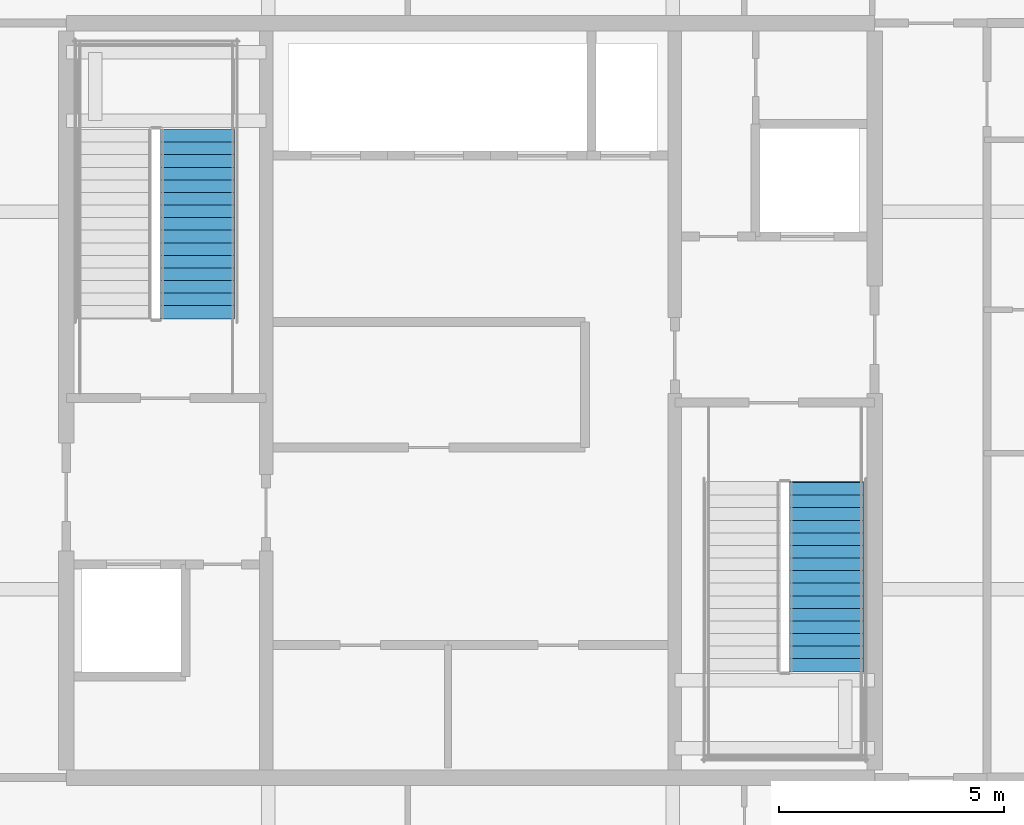
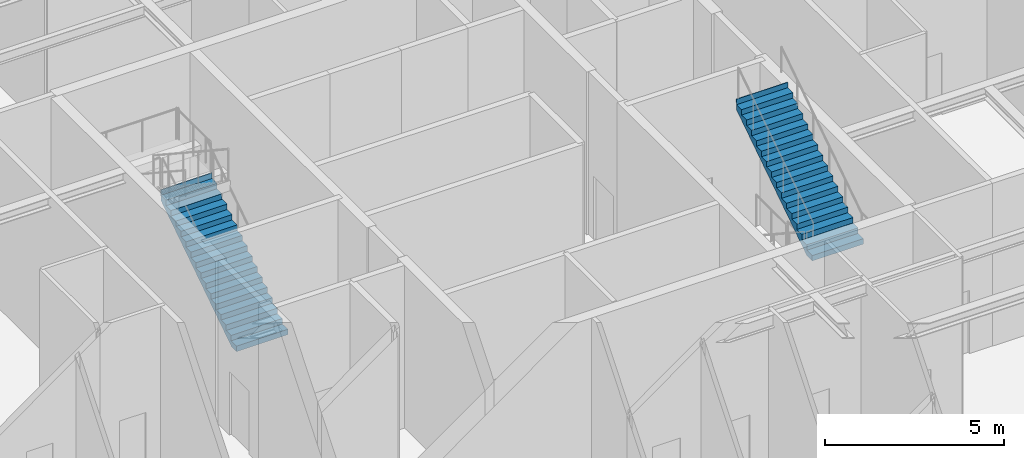
# One storey, part 32 of 38: 2 stair flights, 2 elements without a shape of their own.
"""IFC4 building model written with IfcOpenShell, lengths in metres."""

import ifcopenshell
import ifcopenshell.guid

model = None  # the IFC model being written
_history = None  # IfcOwnerHistory: only IFC2X3 demands one
_inside = {}  # id of a spatial element -> (the spatial element, [elements in it])
_under = {}  # id of a project, library or spatial element -> (it, [spatial elements below it])
_declared = {}  # id of a project -> (the project, [libraries it declares])
_typed = {}  # id of a type object -> (the type object, [elements of that type])
_made_of = {}  # id of a material, layer set ... -> (it, [elements and type objects made of it])


def new_model(schema):
    """Start an empty IFC model of exactly this schema.

    Asked for "IFC4X3", IfcOpenShell would pick the latest addendum, in which some entities
    have other attributes; the version numbers below select the first issue.
    IFC2X3 requires an IfcOwnerHistory on every rooted entity: one is made here for all.
    """
    global model, _history
    if schema == "IFC4X3":
        model = ifcopenshell.file(schema_version=(4, 3, 0, 0))
    else:
        model = ifcopenshell.file(schema=schema)
    _inside.clear()
    _under.clear()
    _declared.clear()
    _typed.clear()
    _made_of.clear()
    _history = None
    if model.schema == "IFC2X3":
        org = make("IfcOrganization", Name="unknown")
        user = make(
            "IfcPersonAndOrganization",
            ThePerson=make("IfcPerson", FamilyName="unknown"),
            TheOrganization=org,
        )
        app = make(
            "IfcApplication",
            ApplicationDeveloper=org,
            Version="unknown",
            ApplicationFullName="unknown",
            ApplicationIdentifier="unknown",
        )
        _history = make(
            "IfcOwnerHistory",
            OwningUser=user,
            OwningApplication=app,
            ChangeAction="ADDED",
            CreationDate=0,
        )
    return model


def make(cls, **values):
    """One entity of the class cls with the attributes given. An attribute that is None is left unset."""
    return model.create_entity(
        cls, **{name: value for name, value in values.items() if value is not None}
    )


def rooted(cls, **values):
    """An entity with a GlobalId (a new one), such as an element, a storey or a relation."""
    return make(cls, GlobalId=ifcopenshell.guid.new(), OwnerHistory=_history, **values)


def si_unit(unit_type, name, prefix=None):
    """IfcSIUnit, for example si_unit("LENGTHUNIT", "METRE", prefix="MILLI")."""
    return make("IfcSIUnit", UnitType=unit_type, Prefix=prefix, Name=name)


def assignment(units):
    """IfcUnitAssignment: the units of a project."""
    return None if units is None else make("IfcUnitAssignment", Units=units)


def point(xyz):
    """IfcCartesianPoint."""
    return None if xyz is None else make("IfcCartesianPoint", Coordinates=xyz)


def direction(xyz):
    """IfcDirection."""
    return None if xyz is None else make("IfcDirection", DirectionRatios=xyz)


def frame(location, z_axis=None, x_axis=None):
    """IfcAxis2Placement3D, a coordinate frame: its origin and axes. An axis left out is left unset."""
    return make(
        "IfcAxis2Placement3D",
        Location=point(location),
        Axis=direction(z_axis),
        RefDirection=direction(x_axis),
    )


def origin():
    """The frame at (0, 0, 0) with its axes left unset."""
    return frame((0.0, 0.0, 0.0))


def place(relative_to, where):
    """IfcLocalPlacement: puts the frame where relative to a parent placement (None: the world)."""
    return make(
        "IfcLocalPlacement", PlacementRelTo=relative_to, RelativePlacement=where
    )


def context(
    kind, dimensions, precision=None, world=None, true_north=None, identifier=None
):
    """IfcGeometricRepresentationContext, for example the 3D "Model" context."""
    return make(
        "IfcGeometricRepresentationContext",
        ContextIdentifier=identifier,
        ContextType=kind,
        CoordinateSpaceDimension=dimensions,
        Precision=precision,
        WorldCoordinateSystem=world,
        TrueNorth=true_north,
    )


def subcontext(parent, identifier, kind, view, scale=None):
    """IfcGeometricRepresentationSubContext, for example "Body" below "Model"."""
    return make(
        "IfcGeometricRepresentationSubContext",
        ContextIdentifier=identifier,
        ContextType=kind,
        ParentContext=parent,
        TargetScale=scale,
        TargetView=view,
    )


def project(units=None, contexts=None):
    """IfcProject with its units and contexts."""
    return rooted(
        "IfcProject",
        Name="project",
        RepresentationContexts=contexts,
        UnitsInContext=assignment(units),
    )


def spatial(cls, under=None, at=None, **own):
    """A site, building, storey or space (cls), placed at a placement, below another one or the project."""
    s = rooted(cls, ObjectPlacement=at, **own)
    if under is not None:
        _under.setdefault(under.id(), (under, []))[1].append(s)
    return s


def point_list(points):
    """IfcCartesianPointList2D or 3D."""
    cls = (
        "IfcCartesianPointList2D" if len(points[0]) == 2 else "IfcCartesianPointList3D"
    )
    return make(cls, CoordList=points)


def polygons(points, faces, closed=None, point_numbers=None):
    """IfcPolygonalFaceSet: a face is its outer loop, then its inner loops; points numbered from 1."""
    made = []
    for loops in faces:
        if len(loops) == 1:
            made.append(make("IfcIndexedPolygonalFace", CoordIndex=loops[0]))
        else:
            made.append(
                make(
                    "IfcIndexedPolygonalFaceWithVoids",
                    CoordIndex=loops[0],
                    InnerCoordIndices=loops[1:],
                )
            )
    return make(
        "IfcPolygonalFaceSet",
        Coordinates=point_list(points),
        Closed=closed,
        Faces=made,
        PnIndex=point_numbers,
    )


def shape(context_of_items, identifier, shape_type, items):
    """IfcShapeRepresentation: the items that make up one representation, for example the "Body"."""
    return make(
        "IfcShapeRepresentation",
        ContextOfItems=context_of_items,
        RepresentationIdentifier=identifier,
        RepresentationType=shape_type,
        Items=items,
    )


def material(Name=None, Category=None):
    """IfcMaterial."""
    return make("IfcMaterial", Name=Name, Category=Category)


def made_of(thing, what):
    """Note that an element or type object is made of a material, layer set ...; save() writes the relation."""
    if what is not None:
        _made_of.setdefault(what.id(), (what, []))[1].append(thing)
    return thing


def type_object(cls, material=None, **own):
    """A type object (cls), such as IfcWallType, which elements share."""
    return made_of(rooted(cls, **own), material)


def element(
    cls,
    number,
    at=None,
    inside=None,
    cuts=None,
    type_object=None,
    material=None,
    context=None,
    identifier="Body",
    shape_type=None,
    held_by="IfcProductDefinitionShape",
    body=None,
    shapes=None,
    **own,
):
    """One element of the class cls, such as IfcWall. Its Tag is "e" and its number.

    at: its placement. inside: the storey or other place that contains it. cuts: it is an
    opening in that element (IfcRelVoidsElement). A single representation is given by context,
    identifier, shape_type and body (its items); several are given by shapes. held_by: the class
    of the entity that holds the representations. save() writes the other relations.
    """
    e = rooted(cls, Tag="e%d" % number, ObjectPlacement=at, **own)
    if body is not None:
        shapes = [shape(context, identifier, shape_type, body)]
    if shapes is not None:
        e.Representation = make(held_by, Representations=shapes)
    if inside is not None:
        _inside.setdefault(inside.id(), (inside, []))[1].append(e)
    if cuts is not None:
        rooted(
            "IfcRelVoidsElement", RelatingBuildingElement=cuts, RelatedOpeningElement=e
        )
    if type_object is not None:
        _typed.setdefault(type_object.id(), (type_object, []))[1].append(e)
    return made_of(e, material)


def aggregate(whole, parts):
    """IfcRelAggregates: a whole, such as a stair, and the parts it consists of."""
    return rooted("IfcRelAggregates", RelatingObject=whole, RelatedObjects=parts)


def save(model, path):
    """Write the relations noted so far, then the file.

    IfcRelAggregates (storeys below a building ...), IfcRelContainedInSpatialStructure (elements
    in a storey), IfcRelDefinesByType, IfcRelAssociatesMaterial and IfcRelDeclares: one each for
    every whole, place, type object, material and project.
    """
    for whole, parts in _under.values():
        aggregate(whole, parts)
    for where, things in _inside.values():
        rooted(
            "IfcRelContainedInSpatialStructure",
            RelatedElements=things,
            RelatingStructure=where,
        )
    for kind, things in _typed.values():
        rooted("IfcRelDefinesByType", RelatedObjects=things, RelatingType=kind)
    for what, things in _made_of.values():
        rooted("IfcRelAssociatesMaterial", RelatedObjects=things, RelatingMaterial=what)
    for by, libraries in _declared.values():
        rooted("IfcRelDeclares", RelatingContext=by, RelatedDefinitions=libraries)
    model.write(path)


model = new_model("IFC4")

# Units and contexts
model_context = context("Model", 3, precision=1e-05, world=origin(), true_north=direction((0.0, 1.0)))
body_context = subcontext(model_context, "Body", "Model", "MODEL_VIEW")
ifc_project = project(units=[si_unit("LENGTHUNIT", "METRE"), si_unit("AREAUNIT", "SQUARE_METRE"), si_unit("VOLUMEUNIT", "CUBIC_METRE"), si_unit("PLANEANGLEUNIT", "RADIAN"), si_unit("MASSUNIT", "GRAM", prefix="KILO")], contexts=[model_context])

# Site, building, storey
site_placement = place(None, origin())
site = spatial("IfcSite", under=ifc_project, at=site_placement, CompositionType="ELEMENT")
building_placement = place(site_placement, origin())
building = spatial("IfcBuilding", under=site, at=building_placement, Name="Serunith Strait Residences", CompositionType="ELEMENT")
storey_placement = place(building_placement, frame((0.0, 0.0, 353.85009765625)))
storey = spatial("IfcBuildingStorey", under=building, at=storey_placement, Name="L87", CompositionType="ELEMENT", Elevation=353.85009765625)

# Stair, stair flight
ifc_material = material(Name="Concrete C50/60", Category="concrete")
stair_type_1 = type_object("IfcStairType", Name="STR-CORE-1", PredefinedType="HALF_TURN_STAIR", material=ifc_material)
stair_1_placement = place(storey_placement, origin())
stair_1 = element("IfcStair", 1, at=stair_1_placement, inside=storey, type_object=stair_type_1, Name="L87 Protected Escape Stair ST-1", PredefinedType="HALF_TURN_STAIR")
stair_flight_type_1 = type_object("IfcStairFlightType", Name="FLT-CORE-1", PredefinedType="STRAIGHT", material=ifc_material)
stair_flight_1_placement = place(storey_placement, frame((26.324951171875, 27.030029296875, 0.0), z_axis=(0.0, 0.0, 1.0), x_axis=(0.0, 1.0, 0.0)))
stair_flight_1 = element("IfcStairFlight", 2, at=stair_flight_1_placement, type_object=stair_flight_type_1, Name="ST-1 flight 1", NumberOfRisers=16, NumberOfTreads=15, PredefinedType="STRAIGHT", RiserHeight=0.184375, TreadLength=0.28, context=body_context, shape_type="Tessellation", body=[
    polygons([(-0.02001953125, -0.824951171875, 0.0), (-0.02001953125, -0.824951171875, 0.184326171875), (0.280029296875, -0.824951171875, 0.184326171875), (0.280029296875, -0.824951171875, 0.36865234375), (0.56005859375, -0.824951171875, 0.36865234375), (0.56005859375, -0.824951171875, 0.55322265625), (0.840087890625, -0.824951171875, 0.55322265625), (0.840087890625, -0.824951171875, 0.737548828125), (1.1201171875, -0.824951171875, 0.737548828125), (1.1201171875, -0.824951171875, 0.921875), (1.39990234375, -0.824951171875, 0.921875), (1.39990234375, -0.824951171875, 1.106201171875), (1.679931640625, -0.824951171875, 1.106201171875), (1.679931640625, -0.824951171875, 1.29052734375), (1.9599609375, -0.824951171875, 1.29052734375), (1.9599609375, -0.824951171875, 1.47509765625), (2.239990234375, -0.824951171875, 1.47509765625), (2.239990234375, -0.824951171875, 1.659423828125), (2.52001953125, -0.824951171875, 1.659423828125), (2.52001953125, -0.824951171875, 1.84375), (2.800048828125, -0.824951171875, 1.84375), (2.800048828125, -0.824951171875, 2.028076171875), (3.080078125, -0.824951171875, 2.028076171875), (3.080078125, -0.824951171875, 2.21240234375), (3.360107421875, -0.824951171875, 2.21240234375), (3.360107421875, -0.824951171875, 2.39697265625), (3.639892578125, -0.824951171875, 2.39697265625), (3.639892578125, -0.824951171875, 2.581298828125), (3.919921875, -0.824951171875, 2.581298828125), (3.919921875, -0.824951171875, 2.765625), (4.199951171875, -0.824951171875, 2.765625), (4.199951171875, -0.824951171875, 2.949951171875), (4.219970703125, -0.824951171875, 2.949951171875), (4.219970703125, -0.824951171875, 2.889892578125), (4.199951171875, -0.824951171875, 2.586181640625), (0.2724609375, -0.824951171875, 0.0), (-0.02001953125, -0.41259765625, 0.0), (-0.02001953125, -0.41259765625, 0.184326171875), (0.280029296875, -0.41259765625, 0.184326171875), (0.280029296875, -0.41259765625, 0.36865234375), (0.56005859375, -0.41259765625, 0.36865234375), (0.56005859375, -0.41259765625, 0.55322265625), (0.840087890625, -0.41259765625, 0.55322265625), (0.840087890625, -0.41259765625, 0.737548828125), (1.1201171875, -0.41259765625, 0.737548828125), (1.1201171875, -0.41259765625, 0.921875), (1.39990234375, -0.41259765625, 0.921875), (1.39990234375, -0.41259765625, 1.106201171875), (1.679931640625, -0.41259765625, 1.106201171875), (1.679931640625, -0.41259765625, 1.29052734375), (1.9599609375, -0.41259765625, 1.29052734375), (1.9599609375, -0.41259765625, 1.47509765625), (2.239990234375, -0.41259765625, 1.47509765625), (2.239990234375, -0.41259765625, 1.659423828125), (2.52001953125, -0.41259765625, 1.659423828125), (2.52001953125, -0.41259765625, 1.84375), (2.800048828125, -0.41259765625, 1.84375), (2.800048828125, -0.41259765625, 2.028076171875), (3.080078125, -0.41259765625, 2.028076171875), (3.080078125, -0.41259765625, 2.21240234375), (3.360107421875, -0.41259765625, 2.21240234375), (3.360107421875, -0.41259765625, 2.39697265625), (3.639892578125, -0.41259765625, 2.39697265625), (3.639892578125, -0.41259765625, 2.581298828125), (3.919921875, -0.41259765625, 2.581298828125), (3.919921875, -0.41259765625, 2.765625), (4.199951171875, -0.41259765625, 2.765625), (4.199951171875, -0.41259765625, 2.949951171875), (4.219970703125, -0.41259765625, 2.949951171875), (4.219970703125, -0.41259765625, 2.889892578125), (4.199951171875, -0.41259765625, 2.586181640625), (0.2724609375, -0.41259765625, 0.0), (-0.02001953125, 0.0, 0.0), (-0.02001953125, 0.0, 0.184326171875), (0.280029296875, 0.0, 0.184326171875), (0.280029296875, 0.0, 0.36865234375), (0.56005859375, 0.0, 0.36865234375), (0.56005859375, 0.0, 0.55322265625), (0.840087890625, 0.0, 0.55322265625), (0.840087890625, 0.0, 0.737548828125), (1.1201171875, 0.0, 0.737548828125), (1.1201171875, 0.0, 0.921875), (1.39990234375, 0.0, 0.921875), (1.39990234375, 0.0, 1.106201171875), (1.679931640625, 0.0, 1.106201171875), (1.679931640625, 0.0, 1.29052734375), (1.9599609375, 0.0, 1.29052734375), (1.9599609375, 0.0, 1.47509765625), (2.239990234375, 0.0, 1.47509765625), (2.239990234375, 0.0, 1.659423828125), (2.52001953125, 0.0, 1.659423828125), (2.52001953125, 0.0, 1.84375), (2.800048828125, 0.0, 1.84375), (2.800048828125, 0.0, 2.028076171875), (3.080078125, 0.0, 2.028076171875), (3.080078125, 0.0, 2.21240234375), (3.360107421875, 0.0, 2.21240234375), (3.360107421875, 0.0, 2.39697265625), (3.639892578125, 0.0, 2.39697265625), (3.639892578125, 0.0, 2.581298828125), (3.919921875, 0.0, 2.581298828125), (3.919921875, 0.0, 2.765625), (4.199951171875, 0.0, 2.765625), (4.199951171875, 0.0, 2.949951171875), (4.219970703125, 0.0, 2.949951171875), (4.219970703125, 0.0, 2.889892578125), (4.199951171875, 0.0, 2.586181640625), (0.2724609375, 0.0, 0.0), (-0.02001953125, 0.41259765625, 0.0), (-0.02001953125, 0.41259765625, 0.184326171875), (0.280029296875, 0.41259765625, 0.184326171875), (0.280029296875, 0.41259765625, 0.36865234375), (0.56005859375, 0.41259765625, 0.36865234375), (0.56005859375, 0.41259765625, 0.55322265625), (0.840087890625, 0.41259765625, 0.55322265625), (0.840087890625, 0.41259765625, 0.737548828125), (1.1201171875, 0.41259765625, 0.737548828125), (1.1201171875, 0.41259765625, 0.921875), (1.39990234375, 0.41259765625, 0.921875), (1.39990234375, 0.41259765625, 1.106201171875), (1.679931640625, 0.41259765625, 1.106201171875), (1.679931640625, 0.41259765625, 1.29052734375), (1.9599609375, 0.41259765625, 1.29052734375), (1.9599609375, 0.41259765625, 1.47509765625), (2.239990234375, 0.41259765625, 1.47509765625), (2.239990234375, 0.41259765625, 1.659423828125), (2.52001953125, 0.41259765625, 1.659423828125), (2.52001953125, 0.41259765625, 1.84375), (2.800048828125, 0.41259765625, 1.84375), (2.800048828125, 0.41259765625, 2.028076171875), (3.080078125, 0.41259765625, 2.028076171875), (3.080078125, 0.41259765625, 2.21240234375), (3.360107421875, 0.41259765625, 2.21240234375), (3.360107421875, 0.41259765625, 2.39697265625), (3.639892578125, 0.41259765625, 2.39697265625), (3.639892578125, 0.41259765625, 2.581298828125), (3.919921875, 0.41259765625, 2.581298828125), (3.919921875, 0.41259765625, 2.765625), (4.199951171875, 0.41259765625, 2.765625), (4.199951171875, 0.41259765625, 2.949951171875), (4.219970703125, 0.41259765625, 2.949951171875), (4.219970703125, 0.41259765625, 2.889892578125), (4.199951171875, 0.41259765625, 2.586181640625), (0.2724609375, 0.41259765625, 0.0), (-0.02001953125, 0.824951171875, 0.0), (-0.02001953125, 0.824951171875, 0.184326171875), (0.280029296875, 0.824951171875, 0.184326171875), (0.280029296875, 0.824951171875, 0.36865234375), (0.56005859375, 0.824951171875, 0.36865234375), (0.56005859375, 0.824951171875, 0.55322265625), (0.840087890625, 0.824951171875, 0.55322265625), (0.840087890625, 0.824951171875, 0.737548828125), (1.1201171875, 0.824951171875, 0.737548828125), (1.1201171875, 0.824951171875, 0.921875), (1.39990234375, 0.824951171875, 0.921875), (1.39990234375, 0.824951171875, 1.106201171875), (1.679931640625, 0.824951171875, 1.106201171875), (1.679931640625, 0.824951171875, 1.29052734375), (1.9599609375, 0.824951171875, 1.29052734375), (1.9599609375, 0.824951171875, 1.47509765625), (2.239990234375, 0.824951171875, 1.47509765625), (2.239990234375, 0.824951171875, 1.659423828125), (2.52001953125, 0.824951171875, 1.659423828125), (2.52001953125, 0.824951171875, 1.84375), (2.800048828125, 0.824951171875, 1.84375), (2.800048828125, 0.824951171875, 2.028076171875), (3.080078125, 0.824951171875, 2.028076171875), (3.080078125, 0.824951171875, 2.21240234375), (3.360107421875, 0.824951171875, 2.21240234375), (3.360107421875, 0.824951171875, 2.39697265625), (3.639892578125, 0.824951171875, 2.39697265625), (3.639892578125, 0.824951171875, 2.581298828125), (3.919921875, 0.824951171875, 2.581298828125), (3.919921875, 0.824951171875, 2.765625), (4.199951171875, 0.824951171875, 2.765625), (4.199951171875, 0.824951171875, 2.949951171875), (4.219970703125, 0.824951171875, 2.949951171875), (4.219970703125, 0.824951171875, 2.889892578125), (4.199951171875, 0.824951171875, 2.586181640625), (0.2724609375, 0.824951171875, 0.0)], [[[1, 2, 38, 37]], [[2, 3, 39, 38]], [[3, 4, 40, 39]], [[4, 5, 41, 40]], [[5, 6, 42, 41]], [[6, 7, 43, 42]], [[7, 8, 44, 43]], [[8, 9, 45, 44]], [[9, 10, 46, 45]], [[10, 11, 47, 46]], [[11, 12, 48, 47]], [[12, 13, 49, 48]], [[13, 14, 50, 49]], [[14, 15, 51, 50]], [[15, 16, 52, 51]], [[16, 17, 53, 52]], [[17, 18, 54, 53]], [[18, 19, 55, 54]], [[19, 20, 56, 55]], [[20, 21, 57, 56]], [[21, 22, 58, 57]], [[22, 23, 59, 58]], [[23, 24, 60, 59]], [[24, 25, 61, 60]], [[25, 26, 62, 61]], [[26, 27, 63, 62]], [[27, 28, 64, 63]], [[28, 29, 65, 64]], [[29, 30, 66, 65]], [[30, 31, 67, 66]], [[31, 32, 68, 67]], [[32, 33, 69, 68]], [[33, 34, 70, 69]], [[34, 35, 71, 70]], [[35, 36, 72, 71]], [[36, 1, 37, 72]], [[37, 38, 74, 73]], [[38, 39, 75, 74]], [[39, 40, 76, 75]], [[40, 41, 77, 76]], [[41, 42, 78, 77]], [[42, 43, 79, 78]], [[43, 44, 80, 79]], [[44, 45, 81, 80]], [[45, 46, 82, 81]], [[46, 47, 83, 82]], [[47, 48, 84, 83]], [[48, 49, 85, 84]], [[49, 50, 86, 85]], [[50, 51, 87, 86]], [[51, 52, 88, 87]], [[52, 53, 89, 88]], [[53, 54, 90, 89]], [[54, 55, 91, 90]], [[55, 56, 92, 91]], [[56, 57, 93, 92]], [[57, 58, 94, 93]], [[58, 59, 95, 94]], [[59, 60, 96, 95]], [[60, 61, 97, 96]], [[61, 62, 98, 97]], [[62, 63, 99, 98]], [[63, 64, 100, 99]], [[64, 65, 101, 100]], [[65, 66, 102, 101]], [[66, 67, 103, 102]], [[67, 68, 104, 103]], [[68, 69, 105, 104]], [[69, 70, 106, 105]], [[70, 71, 107, 106]], [[71, 72, 108, 107]], [[72, 37, 73, 108]], [[73, 74, 110, 109]], [[74, 75, 111, 110]], [[75, 76, 112, 111]], [[76, 77, 113, 112]], [[77, 78, 114, 113]], [[78, 79, 115, 114]], [[79, 80, 116, 115]], [[80, 81, 117, 116]], [[81, 82, 118, 117]], [[82, 83, 119, 118]], [[83, 84, 120, 119]], [[84, 85, 121, 120]], [[85, 86, 122, 121]], [[86, 87, 123, 122]], [[87, 88, 124, 123]], [[88, 89, 125, 124]], [[89, 90, 126, 125]], [[90, 91, 127, 126]], [[91, 92, 128, 127]], [[92, 93, 129, 128]], [[93, 94, 130, 129]], [[94, 95, 131, 130]], [[95, 96, 132, 131]], [[96, 97, 133, 132]], [[97, 98, 134, 133]], [[98, 99, 135, 134]], [[99, 100, 136, 135]], [[100, 101, 137, 136]], [[101, 102, 138, 137]], [[102, 103, 139, 138]], [[103, 104, 140, 139]], [[104, 105, 141, 140]], [[105, 106, 142, 141]], [[106, 107, 143, 142]], [[107, 108, 144, 143]], [[108, 73, 109, 144]], [[109, 110, 146, 145]], [[110, 111, 147, 146]], [[111, 112, 148, 147]], [[112, 113, 149, 148]], [[113, 114, 150, 149]], [[114, 115, 151, 150]], [[115, 116, 152, 151]], [[116, 117, 153, 152]], [[117, 118, 154, 153]], [[118, 119, 155, 154]], [[119, 120, 156, 155]], [[120, 121, 157, 156]], [[121, 122, 158, 157]], [[122, 123, 159, 158]], [[123, 124, 160, 159]], [[124, 125, 161, 160]], [[125, 126, 162, 161]], [[126, 127, 163, 162]], [[127, 128, 164, 163]], [[128, 129, 165, 164]], [[129, 130, 166, 165]], [[130, 131, 167, 166]], [[131, 132, 168, 167]], [[132, 133, 169, 168]], [[133, 134, 170, 169]], [[134, 135, 171, 170]], [[135, 136, 172, 171]], [[136, 137, 173, 172]], [[137, 138, 174, 173]], [[138, 139, 175, 174]], [[139, 140, 176, 175]], [[140, 141, 177, 176]], [[141, 142, 178, 177]], [[142, 143, 179, 178]], [[143, 144, 180, 179]], [[144, 109, 145, 180]], [[36, 35, 34, 33, 32, 31, 30, 29, 28, 27, 26, 25, 24, 23, 22, 21, 20, 19, 18, 17, 16, 15, 14, 13, 12, 11, 10, 9, 8, 7, 6, 5, 4, 3, 2, 1]], [[145, 146, 147, 148, 149, 150, 151, 152, 153, 154, 155, 156, 157, 158, 159, 160, 161, 162, 163, 164, 165, 166, 167, 168, 169, 170, 171, 172, 173, 174, 175, 176, 177, 178, 179, 180]]], closed=True),
])
aggregate(stair_1, [stair_flight_1])

stair_type_2 = type_object("IfcStairType", Name="STR-CORE-2", PredefinedType="HALF_TURN_STAIR", material=ifc_material)
stair_2_placement = place(storey_placement, origin())
stair_2 = element("IfcStair", 3, at=stair_2_placement, inside=storey, type_object=stair_type_2, Name="L87 Protected Escape Stair ST-2", PredefinedType="HALF_TURN_STAIR")
stair_flight_type_2 = type_object("IfcStairFlightType", Name="FLT-CORE-2", PredefinedType="STRAIGHT", material=ifc_material)
stair_flight_2_placement = place(storey_placement, frame((40.324951171875, 19.169921875, 2.949951171875), z_axis=(0.0, 0.0, 1.0), x_axis=(0.0, 1.0, 0.0)))
stair_flight_2 = element("IfcStairFlight", 4, at=stair_flight_2_placement, type_object=stair_flight_type_2, Name="ST-2 flight 2", NumberOfRisers=16, NumberOfTreads=15, PredefinedType="STRAIGHT", RiserHeight=0.184375, TreadLength=0.28, context=body_context, shape_type="Tessellation", body=[
    polygons([(-0.02001953125, -0.824951171875, 0.0), (-0.02001953125, -0.824951171875, 0.184326171875), (0.280029296875, -0.824951171875, 0.184326171875), (0.280029296875, -0.824951171875, 0.36865234375), (0.56005859375, -0.824951171875, 0.36865234375), (0.56005859375, -0.824951171875, 0.55322265625), (0.840087890625, -0.824951171875, 0.55322265625), (0.840087890625, -0.824951171875, 0.737548828125), (1.1201171875, -0.824951171875, 0.737548828125), (1.1201171875, -0.824951171875, 0.921875), (1.39990234375, -0.824951171875, 0.921875), (1.39990234375, -0.824951171875, 1.106201171875), (1.679931640625, -0.824951171875, 1.106201171875), (1.679931640625, -0.824951171875, 1.29052734375), (1.9599609375, -0.824951171875, 1.29052734375), (1.9599609375, -0.824951171875, 1.47509765625), (2.239990234375, -0.824951171875, 1.47509765625), (2.239990234375, -0.824951171875, 1.659423828125), (2.52001953125, -0.824951171875, 1.659423828125), (2.52001953125, -0.824951171875, 1.84375), (2.800048828125, -0.824951171875, 1.84375), (2.800048828125, -0.824951171875, 2.028076171875), (3.080078125, -0.824951171875, 2.028076171875), (3.080078125, -0.824951171875, 2.21240234375), (3.360107421875, -0.824951171875, 2.21240234375), (3.360107421875, -0.824951171875, 2.39697265625), (3.639892578125, -0.824951171875, 2.39697265625), (3.639892578125, -0.824951171875, 2.581298828125), (3.919921875, -0.824951171875, 2.581298828125), (3.919921875, -0.824951171875, 2.765625), (4.199951171875, -0.824951171875, 2.765625), (4.199951171875, -0.824951171875, 2.949951171875), (4.219970703125, -0.824951171875, 2.949951171875), (4.219970703125, -0.824951171875, 2.889892578125), (4.199951171875, -0.824951171875, 2.586181640625), (0.2724609375, -0.824951171875, 0.0), (-0.02001953125, -0.41259765625, 0.0), (-0.02001953125, -0.41259765625, 0.184326171875), (0.280029296875, -0.41259765625, 0.184326171875), (0.280029296875, -0.41259765625, 0.36865234375), (0.56005859375, -0.41259765625, 0.36865234375), (0.56005859375, -0.41259765625, 0.55322265625), (0.840087890625, -0.41259765625, 0.55322265625), (0.840087890625, -0.41259765625, 0.737548828125), (1.1201171875, -0.41259765625, 0.737548828125), (1.1201171875, -0.41259765625, 0.921875), (1.39990234375, -0.41259765625, 0.921875), (1.39990234375, -0.41259765625, 1.106201171875), (1.679931640625, -0.41259765625, 1.106201171875), (1.679931640625, -0.41259765625, 1.29052734375), (1.9599609375, -0.41259765625, 1.29052734375), (1.9599609375, -0.41259765625, 1.47509765625), (2.239990234375, -0.41259765625, 1.47509765625), (2.239990234375, -0.41259765625, 1.659423828125), (2.52001953125, -0.41259765625, 1.659423828125), (2.52001953125, -0.41259765625, 1.84375), (2.800048828125, -0.41259765625, 1.84375), (2.800048828125, -0.41259765625, 2.028076171875), (3.080078125, -0.41259765625, 2.028076171875), (3.080078125, -0.41259765625, 2.21240234375), (3.360107421875, -0.41259765625, 2.21240234375), (3.360107421875, -0.41259765625, 2.39697265625), (3.639892578125, -0.41259765625, 2.39697265625), (3.639892578125, -0.41259765625, 2.581298828125), (3.919921875, -0.41259765625, 2.581298828125), (3.919921875, -0.41259765625, 2.765625), (4.199951171875, -0.41259765625, 2.765625), (4.199951171875, -0.41259765625, 2.949951171875), (4.219970703125, -0.41259765625, 2.949951171875), (4.219970703125, -0.41259765625, 2.889892578125), (4.199951171875, -0.41259765625, 2.586181640625), (0.2724609375, -0.41259765625, 0.0), (-0.02001953125, 0.0, 0.0), (-0.02001953125, 0.0, 0.184326171875), (0.280029296875, 0.0, 0.184326171875), (0.280029296875, 0.0, 0.36865234375), (0.56005859375, 0.0, 0.36865234375), (0.56005859375, 0.0, 0.55322265625), (0.840087890625, 0.0, 0.55322265625), (0.840087890625, 0.0, 0.737548828125), (1.1201171875, 0.0, 0.737548828125), (1.1201171875, 0.0, 0.921875), (1.39990234375, 0.0, 0.921875), (1.39990234375, 0.0, 1.106201171875), (1.679931640625, 0.0, 1.106201171875), (1.679931640625, 0.0, 1.29052734375), (1.9599609375, 0.0, 1.29052734375), (1.9599609375, 0.0, 1.47509765625), (2.239990234375, 0.0, 1.47509765625), (2.239990234375, 0.0, 1.659423828125), (2.52001953125, 0.0, 1.659423828125), (2.52001953125, 0.0, 1.84375), (2.800048828125, 0.0, 1.84375), (2.800048828125, 0.0, 2.028076171875), (3.080078125, 0.0, 2.028076171875), (3.080078125, 0.0, 2.21240234375), (3.360107421875, 0.0, 2.21240234375), (3.360107421875, 0.0, 2.39697265625), (3.639892578125, 0.0, 2.39697265625), (3.639892578125, 0.0, 2.581298828125), (3.919921875, 0.0, 2.581298828125), (3.919921875, 0.0, 2.765625), (4.199951171875, 0.0, 2.765625), (4.199951171875, 0.0, 2.949951171875), (4.219970703125, 0.0, 2.949951171875), (4.219970703125, 0.0, 2.889892578125), (4.199951171875, 0.0, 2.586181640625), (0.2724609375, 0.0, 0.0), (-0.02001953125, 0.41259765625, 0.0), (-0.02001953125, 0.41259765625, 0.184326171875), (0.280029296875, 0.41259765625, 0.184326171875), (0.280029296875, 0.41259765625, 0.36865234375), (0.56005859375, 0.41259765625, 0.36865234375), (0.56005859375, 0.41259765625, 0.55322265625), (0.840087890625, 0.41259765625, 0.55322265625), (0.840087890625, 0.41259765625, 0.737548828125), (1.1201171875, 0.41259765625, 0.737548828125), (1.1201171875, 0.41259765625, 0.921875), (1.39990234375, 0.41259765625, 0.921875), (1.39990234375, 0.41259765625, 1.106201171875), (1.679931640625, 0.41259765625, 1.106201171875), (1.679931640625, 0.41259765625, 1.29052734375), (1.9599609375, 0.41259765625, 1.29052734375), (1.9599609375, 0.41259765625, 1.47509765625), (2.239990234375, 0.41259765625, 1.47509765625), (2.239990234375, 0.41259765625, 1.659423828125), (2.52001953125, 0.41259765625, 1.659423828125), (2.52001953125, 0.41259765625, 1.84375), (2.800048828125, 0.41259765625, 1.84375), (2.800048828125, 0.41259765625, 2.028076171875), (3.080078125, 0.41259765625, 2.028076171875), (3.080078125, 0.41259765625, 2.21240234375), (3.360107421875, 0.41259765625, 2.21240234375), (3.360107421875, 0.41259765625, 2.39697265625), (3.639892578125, 0.41259765625, 2.39697265625), (3.639892578125, 0.41259765625, 2.581298828125), (3.919921875, 0.41259765625, 2.581298828125), (3.919921875, 0.41259765625, 2.765625), (4.199951171875, 0.41259765625, 2.765625), (4.199951171875, 0.41259765625, 2.949951171875), (4.219970703125, 0.41259765625, 2.949951171875), (4.219970703125, 0.41259765625, 2.889892578125), (4.199951171875, 0.41259765625, 2.586181640625), (0.2724609375, 0.41259765625, 0.0), (-0.02001953125, 0.824951171875, 0.0), (-0.02001953125, 0.824951171875, 0.184326171875), (0.280029296875, 0.824951171875, 0.184326171875), (0.280029296875, 0.824951171875, 0.36865234375), (0.56005859375, 0.824951171875, 0.36865234375), (0.56005859375, 0.824951171875, 0.55322265625), (0.840087890625, 0.824951171875, 0.55322265625), (0.840087890625, 0.824951171875, 0.737548828125), (1.1201171875, 0.824951171875, 0.737548828125), (1.1201171875, 0.824951171875, 0.921875), (1.39990234375, 0.824951171875, 0.921875), (1.39990234375, 0.824951171875, 1.106201171875), (1.679931640625, 0.824951171875, 1.106201171875), (1.679931640625, 0.824951171875, 1.29052734375), (1.9599609375, 0.824951171875, 1.29052734375), (1.9599609375, 0.824951171875, 1.47509765625), (2.239990234375, 0.824951171875, 1.47509765625), (2.239990234375, 0.824951171875, 1.659423828125), (2.52001953125, 0.824951171875, 1.659423828125), (2.52001953125, 0.824951171875, 1.84375), (2.800048828125, 0.824951171875, 1.84375), (2.800048828125, 0.824951171875, 2.028076171875), (3.080078125, 0.824951171875, 2.028076171875), (3.080078125, 0.824951171875, 2.21240234375), (3.360107421875, 0.824951171875, 2.21240234375), (3.360107421875, 0.824951171875, 2.39697265625), (3.639892578125, 0.824951171875, 2.39697265625), (3.639892578125, 0.824951171875, 2.581298828125), (3.919921875, 0.824951171875, 2.581298828125), (3.919921875, 0.824951171875, 2.765625), (4.199951171875, 0.824951171875, 2.765625), (4.199951171875, 0.824951171875, 2.949951171875), (4.219970703125, 0.824951171875, 2.949951171875), (4.219970703125, 0.824951171875, 2.889892578125), (4.199951171875, 0.824951171875, 2.586181640625), (0.2724609375, 0.824951171875, 0.0)], [[[1, 2, 38, 37]], [[2, 3, 39, 38]], [[3, 4, 40, 39]], [[4, 5, 41, 40]], [[5, 6, 42, 41]], [[6, 7, 43, 42]], [[7, 8, 44, 43]], [[8, 9, 45, 44]], [[9, 10, 46, 45]], [[10, 11, 47, 46]], [[11, 12, 48, 47]], [[12, 13, 49, 48]], [[13, 14, 50, 49]], [[14, 15, 51, 50]], [[15, 16, 52, 51]], [[16, 17, 53, 52]], [[17, 18, 54, 53]], [[18, 19, 55, 54]], [[19, 20, 56, 55]], [[20, 21, 57, 56]], [[21, 22, 58, 57]], [[22, 23, 59, 58]], [[23, 24, 60, 59]], [[24, 25, 61, 60]], [[25, 26, 62, 61]], [[26, 27, 63, 62]], [[27, 28, 64, 63]], [[28, 29, 65, 64]], [[29, 30, 66, 65]], [[30, 31, 67, 66]], [[31, 32, 68, 67]], [[32, 33, 69, 68]], [[33, 34, 70, 69]], [[34, 35, 71, 70]], [[35, 36, 72, 71]], [[36, 1, 37, 72]], [[37, 38, 74, 73]], [[38, 39, 75, 74]], [[39, 40, 76, 75]], [[40, 41, 77, 76]], [[41, 42, 78, 77]], [[42, 43, 79, 78]], [[43, 44, 80, 79]], [[44, 45, 81, 80]], [[45, 46, 82, 81]], [[46, 47, 83, 82]], [[47, 48, 84, 83]], [[48, 49, 85, 84]], [[49, 50, 86, 85]], [[50, 51, 87, 86]], [[51, 52, 88, 87]], [[52, 53, 89, 88]], [[53, 54, 90, 89]], [[54, 55, 91, 90]], [[55, 56, 92, 91]], [[56, 57, 93, 92]], [[57, 58, 94, 93]], [[58, 59, 95, 94]], [[59, 60, 96, 95]], [[60, 61, 97, 96]], [[61, 62, 98, 97]], [[62, 63, 99, 98]], [[63, 64, 100, 99]], [[64, 65, 101, 100]], [[65, 66, 102, 101]], [[66, 67, 103, 102]], [[67, 68, 104, 103]], [[68, 69, 105, 104]], [[69, 70, 106, 105]], [[70, 71, 107, 106]], [[71, 72, 108, 107]], [[72, 37, 73, 108]], [[73, 74, 110, 109]], [[74, 75, 111, 110]], [[75, 76, 112, 111]], [[76, 77, 113, 112]], [[77, 78, 114, 113]], [[78, 79, 115, 114]], [[79, 80, 116, 115]], [[80, 81, 117, 116]], [[81, 82, 118, 117]], [[82, 83, 119, 118]], [[83, 84, 120, 119]], [[84, 85, 121, 120]], [[85, 86, 122, 121]], [[86, 87, 123, 122]], [[87, 88, 124, 123]], [[88, 89, 125, 124]], [[89, 90, 126, 125]], [[90, 91, 127, 126]], [[91, 92, 128, 127]], [[92, 93, 129, 128]], [[93, 94, 130, 129]], [[94, 95, 131, 130]], [[95, 96, 132, 131]], [[96, 97, 133, 132]], [[97, 98, 134, 133]], [[98, 99, 135, 134]], [[99, 100, 136, 135]], [[100, 101, 137, 136]], [[101, 102, 138, 137]], [[102, 103, 139, 138]], [[103, 104, 140, 139]], [[104, 105, 141, 140]], [[105, 106, 142, 141]], [[106, 107, 143, 142]], [[107, 108, 144, 143]], [[108, 73, 109, 144]], [[109, 110, 146, 145]], [[110, 111, 147, 146]], [[111, 112, 148, 147]], [[112, 113, 149, 148]], [[113, 114, 150, 149]], [[114, 115, 151, 150]], [[115, 116, 152, 151]], [[116, 117, 153, 152]], [[117, 118, 154, 153]], [[118, 119, 155, 154]], [[119, 120, 156, 155]], [[120, 121, 157, 156]], [[121, 122, 158, 157]], [[122, 123, 159, 158]], [[123, 124, 160, 159]], [[124, 125, 161, 160]], [[125, 126, 162, 161]], [[126, 127, 163, 162]], [[127, 128, 164, 163]], [[128, 129, 165, 164]], [[129, 130, 166, 165]], [[130, 131, 167, 166]], [[131, 132, 168, 167]], [[132, 133, 169, 168]], [[133, 134, 170, 169]], [[134, 135, 171, 170]], [[135, 136, 172, 171]], [[136, 137, 173, 172]], [[137, 138, 174, 173]], [[138, 139, 175, 174]], [[139, 140, 176, 175]], [[140, 141, 177, 176]], [[141, 142, 178, 177]], [[142, 143, 179, 178]], [[143, 144, 180, 179]], [[144, 109, 145, 180]], [[36, 35, 34, 33, 32, 31, 30, 29, 28, 27, 26, 25, 24, 23, 22, 21, 20, 19, 18, 17, 16, 15, 14, 13, 12, 11, 10, 9, 8, 7, 6, 5, 4, 3, 2, 1]], [[145, 146, 147, 148, 149, 150, 151, 152, 153, 154, 155, 156, 157, 158, 159, 160, 161, 162, 163, 164, 165, 166, 167, 168, 169, 170, 171, 172, 173, 174, 175, 176, 177, 178, 179, 180]]], closed=True),
])
aggregate(stair_2, [stair_flight_2])

save(model, "model.ifc")
